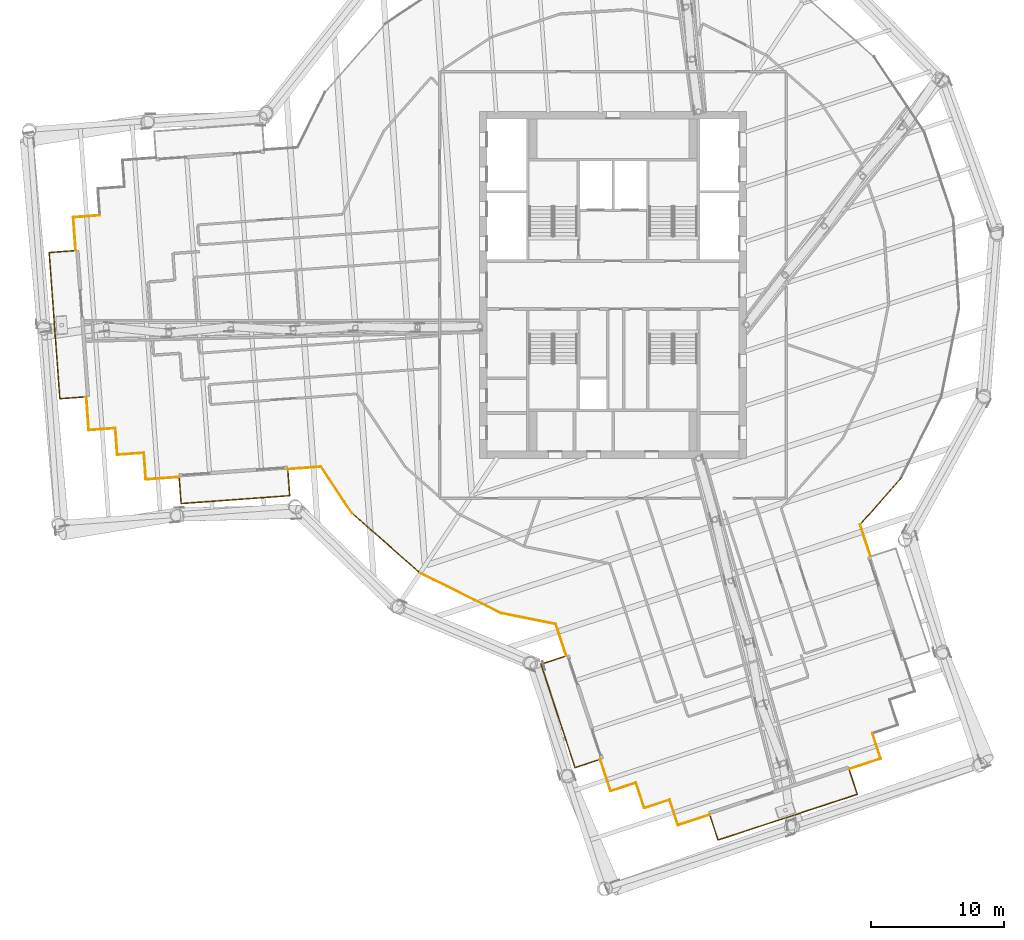
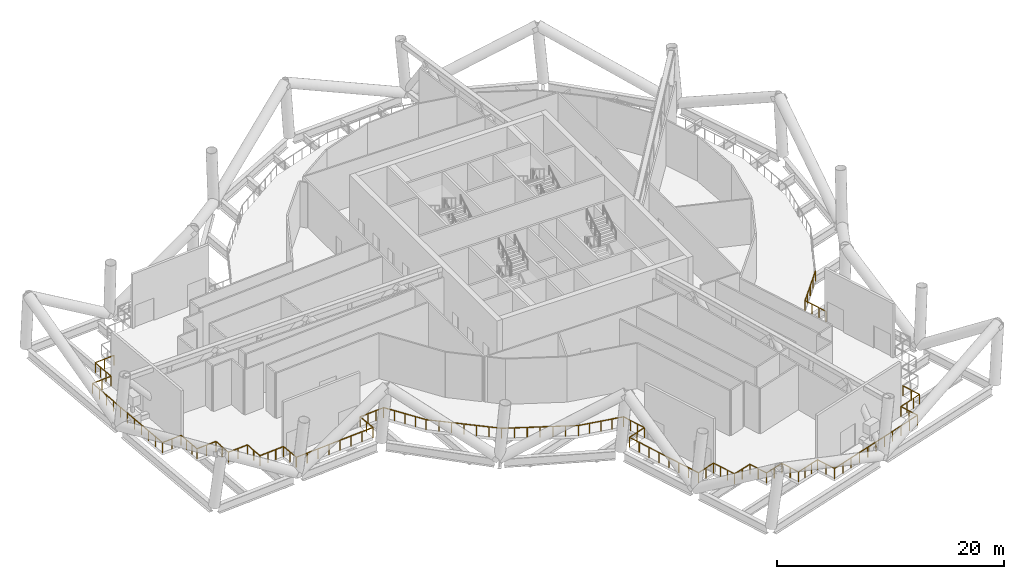
# One storey, part 28 of 33: 28 railings.
"""IFC4 building model written with IfcOpenShell, lengths in metres."""

import ifcopenshell
import ifcopenshell.guid

model = None  # the IFC model being written
_history = None  # IfcOwnerHistory: only IFC2X3 demands one
_inside = {}  # id of a spatial element -> (the spatial element, [elements in it])
_under = {}  # id of a project, library or spatial element -> (it, [spatial elements below it])
_declared = {}  # id of a project -> (the project, [libraries it declares])
_typed = {}  # id of a type object -> (the type object, [elements of that type])
_made_of = {}  # id of a material, layer set ... -> (it, [elements and type objects made of it])


def new_model(schema):
    """Start an empty IFC model of exactly this schema.

    Asked for "IFC4X3", IfcOpenShell would pick the latest addendum, in which some entities
    have other attributes; the version numbers below select the first issue.
    IFC2X3 requires an IfcOwnerHistory on every rooted entity: one is made here for all.
    """
    global model, _history
    if schema == "IFC4X3":
        model = ifcopenshell.file(schema_version=(4, 3, 0, 0))
    else:
        model = ifcopenshell.file(schema=schema)
    _inside.clear()
    _under.clear()
    _declared.clear()
    _typed.clear()
    _made_of.clear()
    _history = None
    if model.schema == "IFC2X3":
        org = make("IfcOrganization", Name="unknown")
        user = make(
            "IfcPersonAndOrganization",
            ThePerson=make("IfcPerson", FamilyName="unknown"),
            TheOrganization=org,
        )
        app = make(
            "IfcApplication",
            ApplicationDeveloper=org,
            Version="unknown",
            ApplicationFullName="unknown",
            ApplicationIdentifier="unknown",
        )
        _history = make(
            "IfcOwnerHistory",
            OwningUser=user,
            OwningApplication=app,
            ChangeAction="ADDED",
            CreationDate=0,
        )
    return model


def make(cls, **values):
    """One entity of the class cls with the attributes given. An attribute that is None is left unset."""
    return model.create_entity(
        cls, **{name: value for name, value in values.items() if value is not None}
    )


def rooted(cls, **values):
    """An entity with a GlobalId (a new one), such as an element, a storey or a relation."""
    return make(cls, GlobalId=ifcopenshell.guid.new(), OwnerHistory=_history, **values)


def si_unit(unit_type, name, prefix=None):
    """IfcSIUnit, for example si_unit("LENGTHUNIT", "METRE", prefix="MILLI")."""
    return make("IfcSIUnit", UnitType=unit_type, Prefix=prefix, Name=name)


def assignment(units):
    """IfcUnitAssignment: the units of a project."""
    return None if units is None else make("IfcUnitAssignment", Units=units)


def point(xyz):
    """IfcCartesianPoint."""
    return None if xyz is None else make("IfcCartesianPoint", Coordinates=xyz)


def direction(xyz):
    """IfcDirection."""
    return None if xyz is None else make("IfcDirection", DirectionRatios=xyz)


def frame(location, z_axis=None, x_axis=None):
    """IfcAxis2Placement3D, a coordinate frame: its origin and axes. An axis left out is left unset."""
    return make(
        "IfcAxis2Placement3D",
        Location=point(location),
        Axis=direction(z_axis),
        RefDirection=direction(x_axis),
    )


def frame_2d(location, x_axis=None):
    """IfcAxis2Placement2D, a coordinate frame in the plane: its origin and x axis."""
    return make(
        "IfcAxis2Placement2D", Location=point(location), RefDirection=direction(x_axis)
    )


def origin():
    """The frame at (0, 0, 0) with its axes left unset."""
    return frame((0.0, 0.0, 0.0))


def origin_2d():
    """The frame at (0, 0) in the plane with its x axis left unset."""
    return frame_2d((0.0, 0.0))


def place(relative_to, where):
    """IfcLocalPlacement: puts the frame where relative to a parent placement (None: the world)."""
    return make(
        "IfcLocalPlacement", PlacementRelTo=relative_to, RelativePlacement=where
    )


def context(
    kind, dimensions, precision=None, world=None, true_north=None, identifier=None
):
    """IfcGeometricRepresentationContext, for example the 3D "Model" context."""
    return make(
        "IfcGeometricRepresentationContext",
        ContextIdentifier=identifier,
        ContextType=kind,
        CoordinateSpaceDimension=dimensions,
        Precision=precision,
        WorldCoordinateSystem=world,
        TrueNorth=true_north,
    )


def subcontext(parent, identifier, kind, view, scale=None):
    """IfcGeometricRepresentationSubContext, for example "Body" below "Model"."""
    return make(
        "IfcGeometricRepresentationSubContext",
        ContextIdentifier=identifier,
        ContextType=kind,
        ParentContext=parent,
        TargetScale=scale,
        TargetView=view,
    )


def project(units=None, contexts=None):
    """IfcProject with its units and contexts."""
    return rooted(
        "IfcProject",
        Name="project",
        RepresentationContexts=contexts,
        UnitsInContext=assignment(units),
    )


def spatial(cls, under=None, at=None, **own):
    """A site, building, storey or space (cls), placed at a placement, below another one or the project."""
    s = rooted(cls, ObjectPlacement=at, **own)
    if under is not None:
        _under.setdefault(under.id(), (under, []))[1].append(s)
    return s


def profile(cls, at=None, kind="AREA", **sizes):
    """A parametric profile (cls). Its sizes go by their IFC names, for example OverallWidth=200.0."""
    return make(cls, ProfileType=kind, Position=at, **sizes)


def circle(**sizes):
    """IfcCircleProfileDef."""
    return profile("IfcCircleProfileDef", **sizes)


def extrude(swept, where, along, depth):
    """IfcExtrudedAreaSolid: the profile swept, set in the frame where, extruded along a direction by depth."""
    return make(
        "IfcExtrudedAreaSolid",
        SweptArea=swept,
        Position=where,
        ExtrudedDirection=direction(along),
        Depth=depth,
    )


def shape(context_of_items, identifier, shape_type, items):
    """IfcShapeRepresentation: the items that make up one representation, for example the "Body"."""
    return make(
        "IfcShapeRepresentation",
        ContextOfItems=context_of_items,
        RepresentationIdentifier=identifier,
        RepresentationType=shape_type,
        Items=items,
    )


def material(Name=None, Category=None):
    """IfcMaterial."""
    return make("IfcMaterial", Name=Name, Category=Category)


def made_of(thing, what):
    """Note that an element or type object is made of a material, layer set ...; save() writes the relation."""
    if what is not None:
        _made_of.setdefault(what.id(), (what, []))[1].append(thing)
    return thing


def type_object(cls, material=None, **own):
    """A type object (cls), such as IfcWallType, which elements share."""
    return made_of(rooted(cls, **own), material)


def element(
    cls,
    number,
    at=None,
    inside=None,
    cuts=None,
    type_object=None,
    material=None,
    context=None,
    identifier="Body",
    shape_type=None,
    held_by="IfcProductDefinitionShape",
    body=None,
    shapes=None,
    **own,
):
    """One element of the class cls, such as IfcWall. Its Tag is "e" and its number.

    at: its placement. inside: the storey or other place that contains it. cuts: it is an
    opening in that element (IfcRelVoidsElement). A single representation is given by context,
    identifier, shape_type and body (its items); several are given by shapes. held_by: the class
    of the entity that holds the representations. save() writes the other relations.
    """
    e = rooted(cls, Tag="e%d" % number, ObjectPlacement=at, **own)
    if body is not None:
        shapes = [shape(context, identifier, shape_type, body)]
    if shapes is not None:
        e.Representation = make(held_by, Representations=shapes)
    if inside is not None:
        _inside.setdefault(inside.id(), (inside, []))[1].append(e)
    if cuts is not None:
        rooted(
            "IfcRelVoidsElement", RelatingBuildingElement=cuts, RelatedOpeningElement=e
        )
    if type_object is not None:
        _typed.setdefault(type_object.id(), (type_object, []))[1].append(e)
    return made_of(e, material)


def aggregate(whole, parts):
    """IfcRelAggregates: a whole, such as a stair, and the parts it consists of."""
    return rooted("IfcRelAggregates", RelatingObject=whole, RelatedObjects=parts)


def save(model, path):
    """Write the relations noted so far, then the file.

    IfcRelAggregates (storeys below a building ...), IfcRelContainedInSpatialStructure (elements
    in a storey), IfcRelDefinesByType, IfcRelAssociatesMaterial and IfcRelDeclares: one each for
    every whole, place, type object, material and project.
    """
    for whole, parts in _under.values():
        aggregate(whole, parts)
    for where, things in _inside.values():
        rooted(
            "IfcRelContainedInSpatialStructure",
            RelatedElements=things,
            RelatingStructure=where,
        )
    for kind, things in _typed.values():
        rooted("IfcRelDefinesByType", RelatedObjects=things, RelatingType=kind)
    for what, things in _made_of.values():
        rooted("IfcRelAssociatesMaterial", RelatedObjects=things, RelatingMaterial=what)
    for by, libraries in _declared.values():
        rooted("IfcRelDeclares", RelatingContext=by, RelatedDefinitions=libraries)
    model.write(path)


model = new_model("IFC4")

# Units and contexts
model_context = context("Model", 3, precision=1e-05, world=origin(), true_north=direction((0.0, 1.0)))
body_context = subcontext(model_context, "Body", "Model", "MODEL_VIEW")
ifc_project = project(units=[si_unit("LENGTHUNIT", "METRE"), si_unit("AREAUNIT", "SQUARE_METRE"), si_unit("VOLUMEUNIT", "CUBIC_METRE"), si_unit("PLANEANGLEUNIT", "RADIAN"), si_unit("MASSUNIT", "GRAM", prefix="KILO")], contexts=[model_context])

# Site, building, storey
site_placement = place(None, origin())
site = spatial("IfcSite", under=ifc_project, at=site_placement, CompositionType="ELEMENT")
building_placement = place(site_placement, origin())
building = spatial("IfcBuilding", under=site, at=building_placement, Name="Tarsis Ring Headquarters", CompositionType="ELEMENT")
storey_placement = place(building_placement, frame((0.0, 0.0, 302.0)))
storey = spatial("IfcBuildingStorey", under=building, at=storey_placement, Name="L71", CompositionType="ELEMENT", Elevation=302.0)

# Railings
ifc_material = material(Name="Stainless steel guard", Category="steel")
railing_type_1 = type_object("IfcRailingType", Name="Balcony balustrade with mesh infill 1100", PredefinedType="BALUSTRADE", material=ifc_material)
railing_1_placement = place(storey_placement, frame((-32.541259765625, -14.3984375, 0.0)))
element("IfcRailing", 1, at=railing_1_placement, inside=storey, type_object=railing_type_1, Name="Balcony balustrade L71-01", PredefinedType="BALUSTRADE", context=body_context, shape_type="SweptSolid", body=[
    extrude(circle(Radius=0.030029296875, at=origin_2d()), frame((0.0, 0.0, 1.070068359375), z_axis=(0.072504788908, -0.99736806425, 0.0), x_axis=(0.99736806425, 0.072504788908, 0.0)), (0.0, 0.0, 1.0), 2.000244140625),
    extrude(circle(Radius=0.030029296875, at=origin_2d()), frame((0.14501953125, -1.994873046875, 1.070068359375), z_axis=(0.997365816959, 0.072535695779, 0.0), x_axis=(-0.072535695779, 0.997365816959, 0.0)), (0.0, 0.0, 1.0), 8.172119140625),
    extrude(circle(Radius=0.030029296875, at=origin_2d()), frame((8.295654296875, -1.402099609375, 1.070068359375), z_axis=(-0.072626207556, 0.997359230155, 0.0), x_axis=(-0.997359230155, -0.072626207556, 0.0)), (0.0, 0.0, 1.0), 2.000244140625),
    extrude(circle(Radius=0.02490234375, at=origin_2d()), origin(), (0.0, 0.0, 1.0), 1.0400390625),
    extrude(circle(Radius=0.02490234375, at=origin_2d()), frame((0.072509765625, -0.99755859375, 0.0)), (0.0, 0.0, 1.0), 1.0400390625),
    extrude(circle(Radius=0.02490234375, at=origin_2d()), frame((0.14501953125, -1.994873046875, 0.0)), (0.0, 0.0, 1.0), 1.0400390625),
    extrude(circle(Radius=0.02490234375, at=origin_2d()), frame((1.309326171875, -1.91015625, 0.0)), (0.0, 0.0, 1.0), 1.0400390625),
    extrude(circle(Radius=0.02490234375, at=origin_2d()), frame((2.473876953125, -1.825439453125, 0.0)), (0.0, 0.0, 1.0), 1.0400390625),
    extrude(circle(Radius=0.02490234375, at=origin_2d()), frame((3.63818359375, -1.74072265625, 0.0)), (0.0, 0.0, 1.0), 1.0400390625),
    extrude(circle(Radius=0.02490234375, at=origin_2d()), frame((4.802490234375, -1.65625, 0.0)), (0.0, 0.0, 1.0), 1.0400390625),
    extrude(circle(Radius=0.02490234375, at=origin_2d()), frame((5.966796875, -1.571533203125, 0.0)), (0.0, 0.0, 1.0), 1.0400390625),
    extrude(circle(Radius=0.02490234375, at=origin_2d()), frame((7.13134765625, -1.48681640625, 0.0)), (0.0, 0.0, 1.0), 1.0400390625),
    extrude(circle(Radius=0.02490234375, at=origin_2d()), frame((8.295654296875, -1.402099609375, 0.0)), (0.0, 0.0, 1.0), 1.0400390625),
    extrude(circle(Radius=0.02490234375, at=origin_2d()), frame((8.22314453125, -0.40478515625, 0.0)), (0.0, 0.0, 1.0), 1.0400390625),
    extrude(circle(Radius=0.02490234375, at=origin_2d()), frame((8.150390625, 0.5927734375, 0.0)), (0.0, 0.0, 1.0), 1.0400390625),
])
railing_2_placement = place(storey_placement, frame((-3.50830078125, -27.806396484375, 0.0)))
element("IfcRailing", 2, at=railing_2_placement, inside=storey, type_object=railing_type_1, Name="Balcony balustrade L71-06", PredefinedType="BALUSTRADE", context=body_context, shape_type="SweptSolid", body=[
    extrude(circle(Radius=0.030029296875, at=origin_2d()), frame((0.0, 0.0, 1.070068359375), z_axis=(-0.950161983936, -0.311756642725, 0.0), x_axis=(0.311756642725, -0.950161983936, 0.0)), (0.0, 0.0, 1.0), 2.0),
    extrude(circle(Radius=0.030029296875, at=origin_2d()), frame((-1.900390625, -0.62353515625, 1.070068359375), z_axis=(0.311689081116, -0.950184148843, 0.0), x_axis=(0.950184148843, 0.311689081116, 0.0)), (0.0, 0.0, 1.0), 8.171875),
    extrude(circle(Radius=0.030029296875, at=origin_2d()), frame((0.646728515625, -8.388427734375, 1.070068359375), z_axis=(0.950198137236, 0.311646434271, 0.0), x_axis=(-0.311646434271, 0.950198137236, 0.0)), (0.0, 0.0, 1.0), 2.0),
    extrude(circle(Radius=0.02490234375, at=origin_2d()), origin(), (0.0, 0.0, 1.0), 1.0400390625),
    extrude(circle(Radius=0.02490234375, at=origin_2d()), frame((-0.9501953125, -0.311767578125, 0.0)), (0.0, 0.0, 1.0), 1.0400390625),
    extrude(circle(Radius=0.02490234375, at=origin_2d()), frame((-1.900390625, -0.62353515625, 0.0)), (0.0, 0.0, 1.0), 1.0400390625),
    extrude(circle(Radius=0.02490234375, at=origin_2d()), frame((-1.53662109375, -1.73291015625, 0.0)), (0.0, 0.0, 1.0), 1.0400390625),
    extrude(circle(Radius=0.02490234375, at=origin_2d()), frame((-1.172607421875, -2.842041015625, 0.0)), (0.0, 0.0, 1.0), 1.0400390625),
    extrude(circle(Radius=0.02490234375, at=origin_2d()), frame((-0.808837890625, -3.951416015625, 0.0)), (0.0, 0.0, 1.0), 1.0400390625),
    extrude(circle(Radius=0.02490234375, at=origin_2d()), frame((-0.44482421875, -5.060546875, 0.0)), (0.0, 0.0, 1.0), 1.0400390625),
    extrude(circle(Radius=0.02490234375, at=origin_2d()), frame((-0.0810546875, -6.169921875, 0.0)), (0.0, 0.0, 1.0), 1.0400390625),
    extrude(circle(Radius=0.02490234375, at=origin_2d()), frame((0.282958984375, -7.279052734375, 0.0)), (0.0, 0.0, 1.0), 1.0400390625),
    extrude(circle(Radius=0.02490234375, at=origin_2d()), frame((0.646728515625, -8.388427734375, 0.0)), (0.0, 0.0, 1.0), 1.0400390625),
    extrude(circle(Radius=0.02490234375, at=origin_2d()), frame((1.596923828125, -8.07666015625, 0.0)), (0.0, 0.0, 1.0), 1.0400390625),
    extrude(circle(Radius=0.02490234375, at=origin_2d()), frame((2.547119140625, -7.76513671875, 0.0)), (0.0, 0.0, 1.0), 1.0400390625),
])
railing_3_placement = place(storey_placement, frame((7.24072265625, -39.7216796875, 0.0)))
element("IfcRailing", 3, at=railing_3_placement, inside=storey, type_object=railing_type_1, Name="Balcony balustrade L71-11", PredefinedType="BALUSTRADE", context=body_context, shape_type="SweptSolid", body=[
    extrude(circle(Radius=0.030029296875, at=origin_2d()), frame((0.0, 0.0, 1.070068359375), z_axis=(0.311756642725, -0.950161983936, 0.0), x_axis=(0.950161983936, 0.311756642725, 0.0)), (0.0, 0.0, 1.0), 2.0),
    extrude(circle(Radius=0.030029296875, at=origin_2d()), frame((0.62353515625, -1.900390625, 1.070068359375), z_axis=(0.950192695163, 0.311663026453, 0.0), x_axis=(-0.311663026453, 0.950192695163, 0.0)), (0.0, 0.0, 1.0), 10.999755859375),
    extrude(circle(Radius=0.030029296875, at=origin_2d()), frame((11.075439453125, 1.52783203125, 1.070068359375), z_axis=(-0.311646434271, 0.950198137236, 0.0), x_axis=(-0.950198137236, -0.311646434271, 0.0)), (0.0, 0.0, 1.0), 2.0),
    extrude(circle(Radius=0.02490234375, at=origin_2d()), origin(), (0.0, 0.0, 1.0), 1.0400390625),
    extrude(circle(Radius=0.02490234375, at=origin_2d()), frame((0.311767578125, -0.9501953125, 0.0)), (0.0, 0.0, 1.0), 1.0400390625),
    extrude(circle(Radius=0.02490234375, at=origin_2d()), frame((0.62353515625, -1.900390625, 0.0)), (0.0, 0.0, 1.0), 1.0400390625),
    extrude(circle(Radius=0.02490234375, at=origin_2d()), frame((1.668701171875, -1.5576171875, 0.0)), (0.0, 0.0, 1.0), 1.0400390625),
    extrude(circle(Radius=0.02490234375, at=origin_2d()), frame((2.7138671875, -1.21484375, 0.0)), (0.0, 0.0, 1.0), 1.0400390625),
    extrude(circle(Radius=0.02490234375, at=origin_2d()), frame((3.759033203125, -0.871826171875, 0.0)), (0.0, 0.0, 1.0), 1.0400390625),
    extrude(circle(Radius=0.02490234375, at=origin_2d()), frame((4.80419921875, -0.529052734375, 0.0)), (0.0, 0.0, 1.0), 1.0400390625),
    extrude(circle(Radius=0.02490234375, at=origin_2d()), frame((5.849609375, -0.186279296875, 0.0)), (0.0, 0.0, 1.0), 1.0400390625),
    extrude(circle(Radius=0.02490234375, at=origin_2d()), frame((6.894775390625, 0.156494140625, 0.0)), (0.0, 0.0, 1.0), 1.0400390625),
    extrude(circle(Radius=0.02490234375, at=origin_2d()), frame((7.93994140625, 0.499267578125, 0.0)), (0.0, 0.0, 1.0), 1.0400390625),
    extrude(circle(Radius=0.02490234375, at=origin_2d()), frame((8.985107421875, 0.84228515625, 0.0)), (0.0, 0.0, 1.0), 1.0400390625),
    extrude(circle(Radius=0.02490234375, at=origin_2d()), frame((10.0302734375, 1.18505859375, 0.0)), (0.0, 0.0, 1.0), 1.0400390625),
    extrude(circle(Radius=0.02490234375, at=origin_2d()), frame((11.075439453125, 1.52783203125, 0.0)), (0.0, 0.0, 1.0), 1.0400390625),
    extrude(circle(Radius=0.02490234375, at=origin_2d()), frame((10.763671875, 2.47802734375, 0.0)), (0.0, 0.0, 1.0), 1.0400390625),
    extrude(circle(Radius=0.02490234375, at=origin_2d()), frame((10.4521484375, 3.42822265625, 0.0)), (0.0, 0.0, 1.0), 1.0400390625),
])
railing_4_placement = place(storey_placement, frame((-40.293701171875, 2.583740234375, 0.0)))
element("IfcRailing", 4, at=railing_4_placement, inside=storey, type_object=railing_type_1, Name="Balcony balustrade L71-36", PredefinedType="BALUSTRADE", context=body_context, shape_type="SweptSolid", body=[
    extrude(circle(Radius=0.030029296875, at=origin_2d()), frame((0.0, 0.0, 1.070068359375), z_axis=(-0.99736742246, -0.072513616761, 0.0), x_axis=(0.072513616761, -0.99736742246, 0.0)), (0.0, 0.0, 1.0), 2.0),
    extrude(circle(Radius=0.030029296875, at=origin_2d()), frame((-1.99462890625, -0.14501953125, 1.070068359375), z_axis=(0.072532484435, -0.997366050506, 0.0), x_axis=(0.997366050506, 0.072532484435, 0.0)), (0.0, 0.0, 1.0), 11.0),
    extrude(circle(Radius=0.030029296875, at=origin_2d()), frame((-1.19677734375, -11.115966796875, 1.070068359375), z_axis=(0.99736806425, 0.072504788908, 0.0), x_axis=(-0.072504788908, 0.99736806425, 0.0)), (0.0, 0.0, 1.0), 2.000244140625),
    extrude(circle(Radius=0.02490234375, at=origin_2d()), origin(), (0.0, 0.0, 1.0), 1.0400390625),
    extrude(circle(Radius=0.02490234375, at=origin_2d()), frame((-0.997314453125, -0.072509765625, 0.0)), (0.0, 0.0, 1.0), 1.0400390625),
    extrude(circle(Radius=0.02490234375, at=origin_2d()), frame((-1.99462890625, -0.14501953125, 0.0)), (0.0, 0.0, 1.0), 1.0400390625),
    extrude(circle(Radius=0.02490234375, at=origin_2d()), frame((-1.914794921875, -1.2421875, 0.0)), (0.0, 0.0, 1.0), 1.0400390625),
    extrude(circle(Radius=0.02490234375, at=origin_2d()), frame((-1.8349609375, -2.339111328125, 0.0)), (0.0, 0.0, 1.0), 1.0400390625),
    extrude(circle(Radius=0.02490234375, at=origin_2d()), frame((-1.75537109375, -3.436279296875, 0.0)), (0.0, 0.0, 1.0), 1.0400390625),
    extrude(circle(Radius=0.02490234375, at=origin_2d()), frame((-1.675537109375, -4.533447265625, 0.0)), (0.0, 0.0, 1.0), 1.0400390625),
    extrude(circle(Radius=0.02490234375, at=origin_2d()), frame((-1.595703125, -5.63037109375, 0.0)), (0.0, 0.0, 1.0), 1.0400390625),
    extrude(circle(Radius=0.02490234375, at=origin_2d()), frame((-1.515869140625, -6.7275390625, 0.0)), (0.0, 0.0, 1.0), 1.0400390625),
    extrude(circle(Radius=0.02490234375, at=origin_2d()), frame((-1.43603515625, -7.82470703125, 0.0)), (0.0, 0.0, 1.0), 1.0400390625),
    extrude(circle(Radius=0.02490234375, at=origin_2d()), frame((-1.3564453125, -8.921875, 0.0)), (0.0, 0.0, 1.0), 1.0400390625),
    extrude(circle(Radius=0.02490234375, at=origin_2d()), frame((-1.276611328125, -10.018798828125, 0.0)), (0.0, 0.0, 1.0), 1.0400390625),
    extrude(circle(Radius=0.02490234375, at=origin_2d()), frame((-1.19677734375, -11.115966796875, 0.0)), (0.0, 0.0, 1.0), 1.0400390625),
    extrude(circle(Radius=0.02490234375, at=origin_2d()), frame((-0.19921875, -11.04345703125, 0.0)), (0.0, 0.0, 1.0), 1.0400390625),
    extrude(circle(Radius=0.02490234375, at=origin_2d()), frame((0.798095703125, -10.970947265625, 0.0)), (0.0, 0.0, 1.0), 1.0400390625),
])
railing_type_2 = type_object("IfcRailingType", Name="Guard rail with mesh infill 1100", PredefinedType="GUARDRAIL", material=ifc_material)
for number, where, name in (
    (5, (-35.03466796875, -14.579833984375, 0.0), "Guard L71-01a"),
    (6, (-24.390869140625, -13.8056640625, 0.0), "Guard L71-01b"),
):
    element("IfcRailing", number, at=place(storey_placement, frame(where)), inside=storey, type_object=railing_type_2, Name=name, PredefinedType="GUARDRAIL", context=body_context, shape_type="SweptSolid", body=[
        extrude(circle(Radius=0.030029296875, at=origin_2d()), frame((0.0, 0.0, 1.070068359375), z_axis=(0.997364146806, 0.07255865672, 0.0), x_axis=(-0.07255865672, 0.997364146806, 0.0)), (0.0, 0.0, 1.0), 2.5),
        extrude(circle(Radius=0.02490234375, at=origin_2d()), origin(), (0.0, 0.0, 1.0), 1.0400390625),
        extrude(circle(Radius=0.02490234375, at=origin_2d()), frame((0.8310546875, 0.060546875, 0.0)), (0.0, 0.0, 1.0), 1.0400390625),
        extrude(circle(Radius=0.02490234375, at=origin_2d()), frame((1.662353515625, 0.120849609375, 0.0)), (0.0, 0.0, 1.0), 1.0400390625),
        extrude(circle(Radius=0.02490234375, at=origin_2d()), frame((2.493408203125, 0.181396484375, 0.0)), (0.0, 0.0, 1.0), 1.0400390625),
    ])
railing_5_placement = place(storey_placement, frame((-21.8974609375, -13.624267578125, 0.0)))
element("IfcRailing", 7, at=railing_5_placement, inside=storey, type_object=railing_type_2, Name="Guard L71-02", PredefinedType="GUARDRAIL", context=body_context, shape_type="SweptSolid", body=[
    extrude(circle(Radius=0.030029296875, at=origin_2d()), frame((0.0, 0.0, 1.070068359375), z_axis=(0.554269906597, -0.832336993436, 0.0), x_axis=(0.832336993436, 0.554269906597, 0.0)), (0.0, 0.0, 1.0), 4.190673828125),
    extrude(circle(Radius=0.02490234375, at=origin_2d()), origin(), (0.0, 0.0, 1.0), 1.0400390625),
    extrude(circle(Radius=0.02490234375, at=origin_2d()), frame((0.58056640625, -0.8720703125, 0.0)), (0.0, 0.0, 1.0), 1.0400390625),
    extrude(circle(Radius=0.02490234375, at=origin_2d()), frame((1.161376953125, -1.744140625, 0.0)), (0.0, 0.0, 1.0), 1.0400390625),
    extrude(circle(Radius=0.02490234375, at=origin_2d()), frame((1.7421875, -2.615966796875, 0.0)), (0.0, 0.0, 1.0), 1.0400390625),
    extrude(circle(Radius=0.02490234375, at=origin_2d()), frame((2.32275390625, -3.488037109375, 0.0)), (0.0, 0.0, 1.0), 1.0400390625),
])
railing_6_placement = place(storey_placement, frame((-19.57470703125, -17.1123046875, 0.0)))
element("IfcRailing", 8, at=railing_6_placement, inside=storey, type_object=railing_type_2, Name="Guard L71-03", PredefinedType="GUARDRAIL", context=body_context, shape_type="SweptSolid", body=[
    extrude(circle(Radius=0.030029296875, at=origin_2d()), frame((0.0, 0.0, 1.070068359375), z_axis=(0.750806986644, -0.660521664147, 0.0), x_axis=(0.660521664147, 0.750806986644, 0.0)), (0.0, 0.0, 1.0), 6.787353515625),
    extrude(circle(Radius=0.02490234375, at=origin_2d()), origin(), (0.0, 0.0, 1.0), 1.0400390625),
    extrude(circle(Radius=0.02490234375, at=origin_2d()), frame((0.849365234375, -0.7470703125, 0.0)), (0.0, 0.0, 1.0), 1.0400390625),
    extrude(circle(Radius=0.02490234375, at=origin_2d()), frame((1.69873046875, -1.494384765625, 0.0)), (0.0, 0.0, 1.0), 1.0400390625),
    extrude(circle(Radius=0.02490234375, at=origin_2d()), frame((2.5478515625, -2.24169921875, 0.0)), (0.0, 0.0, 1.0), 1.0400390625),
    extrude(circle(Radius=0.02490234375, at=origin_2d()), frame((3.397216796875, -2.98876953125, 0.0)), (0.0, 0.0, 1.0), 1.0400390625),
    extrude(circle(Radius=0.02490234375, at=origin_2d()), frame((4.24658203125, -3.73583984375, 0.0)), (0.0, 0.0, 1.0), 1.0400390625),
    extrude(circle(Radius=0.02490234375, at=origin_2d()), frame((5.095947265625, -4.483154296875, 0.0)), (0.0, 0.0, 1.0), 1.0400390625),
])
railing_7_placement = place(storey_placement, frame((-14.478759765625, -21.595458984375, 0.0)))
element("IfcRailing", 9, at=railing_7_placement, inside=storey, type_object=railing_type_2, Name="Guard L71-04", PredefinedType="GUARDRAIL", context=body_context, shape_type="SweptSolid", body=[
    extrude(circle(Radius=0.030029296875, at=origin_2d()), frame((0.0, 0.0, 1.070068359375), z_axis=(0.89618275549, -0.443685100902, 0.0), x_axis=(0.443685100902, 0.89618275549, 0.0)), (0.0, 0.0, 1.0), 6.787353515625),
    extrude(circle(Radius=0.02490234375, at=origin_2d()), origin(), (0.0, 0.0, 1.0), 1.0400390625),
    extrude(circle(Radius=0.02490234375, at=origin_2d()), frame((1.013671875, -0.501953125, 0.0)), (0.0, 0.0, 1.0), 1.0400390625),
    extrude(circle(Radius=0.02490234375, at=origin_2d()), frame((2.027587890625, -1.00390625, 0.0)), (0.0, 0.0, 1.0), 1.0400390625),
    extrude(circle(Radius=0.02490234375, at=origin_2d()), frame((3.04150390625, -1.505859375, 0.0)), (0.0, 0.0, 1.0), 1.0400390625),
    extrude(circle(Radius=0.02490234375, at=origin_2d()), frame((4.05517578125, -2.007568359375, 0.0)), (0.0, 0.0, 1.0), 1.0400390625),
    extrude(circle(Radius=0.02490234375, at=origin_2d()), frame((5.06884765625, -2.509521484375, 0.0)), (0.0, 0.0, 1.0), 1.0400390625),
    extrude(circle(Radius=0.02490234375, at=origin_2d()), frame((6.082763671875, -3.011474609375, 0.0)), (0.0, 0.0, 1.0), 1.0400390625),
])
railing_8_placement = place(storey_placement, frame((-8.39599609375, -24.60693359375, 0.0)))
element("IfcRailing", 10, at=railing_8_placement, inside=storey, type_object=railing_type_2, Name="Guard L71-05", PredefinedType="GUARDRAIL", context=body_context, shape_type="SweptSolid", body=[
    extrude(circle(Radius=0.030029296875, at=origin_2d()), frame((0.0, 0.0, 1.070068359375), z_axis=(0.98047746277, -0.196631495445, 0.0), x_axis=(0.196631495445, 0.98047746277, 0.0)), (0.0, 0.0, 1.0), 4.1904296875),
    extrude(circle(Radius=0.02490234375, at=origin_2d()), origin(), (0.0, 0.0, 1.0), 1.0400390625),
    extrude(circle(Radius=0.02490234375, at=origin_2d()), frame((1.027099609375, -0.2060546875, 0.0)), (0.0, 0.0, 1.0), 1.0400390625),
    extrude(circle(Radius=0.02490234375, at=origin_2d()), frame((2.05419921875, -0.412109375, 0.0)), (0.0, 0.0, 1.0), 1.0400390625),
    extrude(circle(Radius=0.02490234375, at=origin_2d()), frame((3.08154296875, -0.617919921875, 0.0)), (0.0, 0.0, 1.0), 1.0400390625),
    extrude(circle(Radius=0.02490234375, at=origin_2d()), frame((4.108642578125, -0.823974609375, 0.0)), (0.0, 0.0, 1.0), 1.0400390625),
])
railing_9_placement = place(storey_placement, frame((-4.287353515625, -25.430908203125, 0.0)))
element("IfcRailing", 11, at=railing_9_placement, inside=storey, type_object=railing_type_2, Name="Guard L71-06a", PredefinedType="GUARDRAIL", context=body_context, shape_type="SweptSolid", body=[
    extrude(circle(Radius=0.030029296875, at=origin_2d()), frame((0.0, 0.0, 1.070068359375), z_axis=(0.31162439107, -0.950205366692, 0.0), x_axis=(0.950205366692, 0.31162439107, 0.0)), (0.0, 0.0, 1.0), 2.5),
    extrude(circle(Radius=0.02490234375, at=origin_2d()), origin(), (0.0, 0.0, 1.0), 1.0400390625),
    extrude(circle(Radius=0.02490234375, at=origin_2d()), frame((0.259765625, -0.791748046875, 0.0)), (0.0, 0.0, 1.0), 1.0400390625),
    extrude(circle(Radius=0.02490234375, at=origin_2d()), frame((0.519287109375, -1.583740234375, 0.0)), (0.0, 0.0, 1.0), 1.0400390625),
    extrude(circle(Radius=0.02490234375, at=origin_2d()), frame((0.779052734375, -2.37548828125, 0.0)), (0.0, 0.0, 1.0), 1.0400390625),
])
railing_10_placement = place(storey_placement, frame((-0.961181640625, -35.571533203125, 0.0)))
element("IfcRailing", 12, at=railing_10_placement, inside=storey, type_object=railing_type_2, Name="Guard L71-06b", PredefinedType="GUARDRAIL", context=body_context, shape_type="SweptSolid", body=[
    extrude(circle(Radius=0.030029296875, at=origin_2d()), frame((0.0, 0.0, 1.070068359375), z_axis=(0.311653310631, -0.950195881896, 0.0), x_axis=(0.950195881896, 0.311653310631, 0.0)), (0.0, 0.0, 1.0), 2.499755859375),
    extrude(circle(Radius=0.02490234375, at=origin_2d()), origin(), (0.0, 0.0, 1.0), 1.0400390625),
    extrude(circle(Radius=0.02490234375, at=origin_2d()), frame((0.259765625, -0.791748046875, 0.0)), (0.0, 0.0, 1.0), 1.0400390625),
    extrude(circle(Radius=0.02490234375, at=origin_2d()), frame((0.519287109375, -1.58349609375, 0.0)), (0.0, 0.0, 1.0), 1.0400390625),
    extrude(circle(Radius=0.02490234375, at=origin_2d()), frame((0.779052734375, -2.375244140625, 0.0)), (0.0, 0.0, 1.0), 1.0400390625),
])
railing_11_placement = place(storey_placement, frame((-0.18212890625, -37.94677734375, 0.0)))
element("IfcRailing", 13, at=railing_11_placement, inside=storey, type_object=railing_type_2, Name="Guard L71-07", PredefinedType="GUARDRAIL", context=body_context, shape_type="SweptSolid", body=[
    extrude(circle(Radius=0.030029296875, at=origin_2d()), frame((0.0, 0.0, 1.070068359375), z_axis=(0.950198137236, 0.311646434271, 0.0), x_axis=(-0.311646434271, 0.950198137236, 0.0)), (0.0, 0.0, 1.0), 2.0),
    extrude(circle(Radius=0.02490234375, at=origin_2d()), origin(), (0.0, 0.0, 1.0), 1.0400390625),
    extrude(circle(Radius=0.02490234375, at=origin_2d()), frame((0.9501953125, 0.3115234375, 0.0)), (0.0, 0.0, 1.0), 1.0400390625),
    extrude(circle(Radius=0.02490234375, at=origin_2d()), frame((1.900390625, 0.623291015625, 0.0)), (0.0, 0.0, 1.0), 1.0400390625),
])
railing_12_placement = place(storey_placement, frame((1.71826171875, -37.323486328125, 0.0)))
element("IfcRailing", 14, at=railing_12_placement, inside=storey, type_object=railing_type_2, Name="Guard L71-08", PredefinedType="GUARDRAIL", context=body_context, shape_type="SweptSolid", body=[
    extrude(circle(Radius=0.030029296875, at=origin_2d()), frame((0.0, 0.0, 1.070068359375), z_axis=(0.311646434271, -0.950198137236, 0.0), x_axis=(0.950198137236, 0.311646434271, 0.0)), (0.0, 0.0, 1.0), 2.0),
    extrude(circle(Radius=0.02490234375, at=origin_2d()), origin(), (0.0, 0.0, 1.0), 1.0400390625),
    extrude(circle(Radius=0.02490234375, at=origin_2d()), frame((0.3115234375, -0.9501953125, 0.0)), (0.0, 0.0, 1.0), 1.0400390625),
    extrude(circle(Radius=0.02490234375, at=origin_2d()), frame((0.623291015625, -1.900390625, 0.0)), (0.0, 0.0, 1.0), 1.0400390625),
])
railing_13_placement = place(storey_placement, frame((2.341552734375, -39.223876953125, 0.0)))
element("IfcRailing", 15, at=railing_13_placement, inside=storey, type_object=railing_type_2, Name="Guard L71-09", PredefinedType="GUARDRAIL", context=body_context, shape_type="SweptSolid", body=[
    extrude(circle(Radius=0.030029296875, at=origin_2d()), frame((0.0, 0.0, 1.070068359375), z_axis=(0.950198137236, 0.311646434271, 0.0), x_axis=(-0.311646434271, 0.950198137236, 0.0)), (0.0, 0.0, 1.0), 2.0),
    extrude(circle(Radius=0.02490234375, at=origin_2d()), origin(), (0.0, 0.0, 1.0), 1.0400390625),
    extrude(circle(Radius=0.02490234375, at=origin_2d()), frame((0.9501953125, 0.3115234375, 0.0)), (0.0, 0.0, 1.0), 1.0400390625),
    extrude(circle(Radius=0.02490234375, at=origin_2d()), frame((1.900390625, 0.623291015625, 0.0)), (0.0, 0.0, 1.0), 1.0400390625),
])
railing_14_placement = place(storey_placement, frame((4.241943359375, -38.6005859375, 0.0)))
element("IfcRailing", 16, at=railing_14_placement, inside=storey, type_object=railing_type_2, Name="Guard L71-10", PredefinedType="GUARDRAIL", context=body_context, shape_type="SweptSolid", body=[
    extrude(circle(Radius=0.030029296875, at=origin_2d()), frame((0.0, 0.0, 1.070068359375), z_axis=(0.311646434271, -0.950198137236, 0.0), x_axis=(0.950198137236, 0.311646434271, 0.0)), (0.0, 0.0, 1.0), 2.0),
    extrude(circle(Radius=0.02490234375, at=origin_2d()), origin(), (0.0, 0.0, 1.0), 1.0400390625),
    extrude(circle(Radius=0.02490234375, at=origin_2d()), frame((0.3115234375, -0.9501953125, 0.0)), (0.0, 0.0, 1.0), 1.0400390625),
    extrude(circle(Radius=0.02490234375, at=origin_2d()), frame((0.623291015625, -1.900390625, 0.0)), (0.0, 0.0, 1.0), 1.0400390625),
])
for number, where, name in (
    (17, (4.865234375, -40.5009765625, 0.0), "Guard L71-11a"),
    (18, (17.69287109375, -36.29345703125, 0.0), "Guard L71-11b"),
):
    element("IfcRailing", number, at=place(storey_placement, frame(where)), inside=storey, type_object=railing_type_2, Name=name, PredefinedType="GUARDRAIL", context=body_context, shape_type="SweptSolid", body=[
        extrude(circle(Radius=0.030029296875, at=origin_2d()), frame((0.0, 0.0, 1.070068359375), z_axis=(0.95017644646, 0.311712560853, 0.0), x_axis=(-0.311712560853, 0.95017644646, 0.0)), (0.0, 0.0, 1.0), 2.5),
        extrude(circle(Radius=0.02490234375, at=origin_2d()), origin(), (0.0, 0.0, 1.0), 1.0400390625),
        extrude(circle(Radius=0.02490234375, at=origin_2d()), frame((0.791748046875, 0.259765625, 0.0)), (0.0, 0.0, 1.0), 1.0400390625),
        extrude(circle(Radius=0.02490234375, at=origin_2d()), frame((1.583740234375, 0.51953125, 0.0)), (0.0, 0.0, 1.0), 1.0400390625),
        extrude(circle(Radius=0.02490234375, at=origin_2d()), frame((2.37548828125, 0.779296875, 0.0)), (0.0, 0.0, 1.0), 1.0400390625),
    ])
railing_15_placement = place(storey_placement, frame((20.068359375, -35.51416015625, 0.0)))
element("IfcRailing", 19, at=railing_15_placement, inside=storey, type_object=railing_type_2, Name="Guard L71-12", PredefinedType="GUARDRAIL", context=body_context, shape_type="SweptSolid", body=[
    extrude(circle(Radius=0.030029296875, at=origin_2d()), frame((0.0, 0.0, 1.070068359375), z_axis=(-0.311646434271, 0.950198137236, 0.0), x_axis=(-0.950198137236, -0.311646434271, 0.0)), (0.0, 0.0, 1.0), 2.0),
    extrude(circle(Radius=0.02490234375, at=origin_2d()), origin(), (0.0, 0.0, 1.0), 1.0400390625),
    extrude(circle(Radius=0.02490234375, at=origin_2d()), frame((-0.3115234375, 0.9501953125, 0.0)), (0.0, 0.0, 1.0), 1.0400390625),
    extrude(circle(Radius=0.02490234375, at=origin_2d()), frame((-0.623291015625, 1.900390625, 0.0)), (0.0, 0.0, 1.0), 1.0400390625),
])
railing_16_placement = place(storey_placement, frame((19.302734375, -20.345947265625, 0.0)))
element("IfcRailing", 20, at=railing_16_placement, inside=storey, type_object=railing_type_2, Name="Guard L71-16b", PredefinedType="GUARDRAIL", context=body_context, shape_type="SweptSolid", body=[
    extrude(circle(Radius=0.030029296875, at=origin_2d()), frame((0.0, 0.0, 1.070068359375), z_axis=(-0.31162439107, 0.950205366692, 0.0), x_axis=(-0.950205366692, -0.31162439107, 0.0)), (0.0, 0.0, 1.0), 2.5),
    extrude(circle(Radius=0.02490234375, at=origin_2d()), origin(), (0.0, 0.0, 1.0), 1.0400390625),
    extrude(circle(Radius=0.02490234375, at=origin_2d()), frame((-0.259765625, 0.791748046875, 0.0)), (0.0, 0.0, 1.0), 1.0400390625),
    extrude(circle(Radius=0.02490234375, at=origin_2d()), frame((-0.519287109375, 1.583740234375, 0.0)), (0.0, 0.0, 1.0), 1.0400390625),
    extrude(circle(Radius=0.02490234375, at=origin_2d()), frame((-0.779052734375, 2.37548828125, 0.0)), (0.0, 0.0, 1.0), 1.0400390625),
])
railing_17_placement = place(storey_placement, frame((18.523681640625, -17.970458984375, 0.0)))
element("IfcRailing", 21, at=railing_17_placement, inside=storey, type_object=railing_type_2, Name="Guard L71-17", PredefinedType="GUARDRAIL", context=body_context, shape_type="SweptSolid", body=[
    extrude(circle(Radius=0.030029296875, at=origin_2d()), frame((0.0, 0.0, 1.070068359375), z_axis=(0.660516645226, 0.750811402004, 0.0), x_axis=(-0.750811402004, 0.660516645226, 0.0)), (0.0, 0.0, 1.0), 4.650634765625),
    extrude(circle(Radius=0.02490234375, at=origin_2d()), origin(), (0.0, 0.0, 1.0), 1.0400390625),
    extrude(circle(Radius=0.02490234375, at=origin_2d()), frame((0.76806640625, 0.873046875, 0.0)), (0.0, 0.0, 1.0), 1.0400390625),
    extrude(circle(Radius=0.02490234375, at=origin_2d()), frame((1.535888671875, 1.745849609375, 0.0)), (0.0, 0.0, 1.0), 1.0400390625),
    extrude(circle(Radius=0.02490234375, at=origin_2d()), frame((2.3037109375, 2.61865234375, 0.0)), (0.0, 0.0, 1.0), 1.0400390625),
    extrude(circle(Radius=0.02490234375, at=origin_2d()), frame((3.07177734375, 3.49169921875, 0.0)), (0.0, 0.0, 1.0), 1.0400390625),
])
railing_18_placement = place(storey_placement, frame((-38.480224609375, 5.222412109375, 0.0)))
element("IfcRailing", 22, at=railing_18_placement, inside=storey, type_object=railing_type_2, Name="Guard L71-35", PredefinedType="GUARDRAIL", context=body_context, shape_type="SweptSolid", body=[
    extrude(circle(Radius=0.030029296875, at=origin_2d()), frame((0.0, 0.0, 1.070068359375), z_axis=(-0.99735858622, -0.072635050037, 0.0), x_axis=(0.072635050037, -0.99735858622, 0.0)), (0.0, 0.0, 1.0), 2.0),
    extrude(circle(Radius=0.02490234375, at=origin_2d()), origin(), (0.0, 0.0, 1.0), 1.0400390625),
    extrude(circle(Radius=0.02490234375, at=origin_2d()), frame((-0.997314453125, -0.07275390625, 0.0)), (0.0, 0.0, 1.0), 1.0400390625),
    extrude(circle(Radius=0.02490234375, at=origin_2d()), frame((-1.99462890625, -0.145263671875, 0.0)), (0.0, 0.0, 1.0), 1.0400390625),
])
railing_19_placement = place(storey_placement, frame((-40.474853515625, 5.0771484375, 0.0)))
element("IfcRailing", 23, at=railing_19_placement, inside=storey, type_object=railing_type_2, Name="Guard L71-36a", PredefinedType="GUARDRAIL", context=body_context, shape_type="SweptSolid", body=[
    extrude(circle(Radius=0.030029296875, at=origin_2d()), frame((0.0, 0.0, 1.070068359375), z_axis=(0.07246151349, -0.997371209261, 0.0), x_axis=(0.997371209261, 0.07246151349, 0.0)), (0.0, 0.0, 1.0), 2.5),
    extrude(circle(Radius=0.02490234375, at=origin_2d()), origin(), (0.0, 0.0, 1.0), 1.0400390625),
    extrude(circle(Radius=0.02490234375, at=origin_2d()), frame((0.060302734375, -0.8310546875, 0.0)), (0.0, 0.0, 1.0), 1.0400390625),
    extrude(circle(Radius=0.02490234375, at=origin_2d()), frame((0.120849609375, -1.662353515625, 0.0)), (0.0, 0.0, 1.0), 1.0400390625),
    extrude(circle(Radius=0.02490234375, at=origin_2d()), frame((0.18115234375, -2.493408203125, 0.0)), (0.0, 0.0, 1.0), 1.0400390625),
])
railing_20_placement = place(storey_placement, frame((-39.49560546875, -8.38720703125, 0.0)))
element("IfcRailing", 24, at=railing_20_placement, inside=storey, type_object=railing_type_2, Name="Guard L71-36b", PredefinedType="GUARDRAIL", context=body_context, shape_type="SweptSolid", body=[
    extrude(circle(Radius=0.030029296875, at=origin_2d()), frame((0.0, 0.0, 1.070068359375), z_axis=(0.07255865672, -0.997364146806, 0.0), x_axis=(0.997364146806, 0.07255865672, 0.0)), (0.0, 0.0, 1.0), 2.5),
    extrude(circle(Radius=0.02490234375, at=origin_2d()), origin(), (0.0, 0.0, 1.0), 1.0400390625),
    extrude(circle(Radius=0.02490234375, at=origin_2d()), frame((0.060546875, -0.8310546875, 0.0)), (0.0, 0.0, 1.0), 1.0400390625),
    extrude(circle(Radius=0.02490234375, at=origin_2d()), frame((0.120849609375, -1.662353515625, 0.0)), (0.0, 0.0, 1.0), 1.0400390625),
    extrude(circle(Radius=0.02490234375, at=origin_2d()), frame((0.181396484375, -2.493408203125, 0.0)), (0.0, 0.0, 1.0), 1.0400390625),
])
railing_21_placement = place(storey_placement, frame((-39.314208984375, -10.880615234375, 0.0)))
element("IfcRailing", 25, at=railing_21_placement, inside=storey, type_object=railing_type_2, Name="Guard L71-37", PredefinedType="GUARDRAIL", context=body_context, shape_type="SweptSolid", body=[
    extrude(circle(Radius=0.030029296875, at=origin_2d()), frame((0.0, 0.0, 1.070068359375), z_axis=(0.99736742246, 0.072513616761, 0.0), x_axis=(-0.072513616761, 0.99736742246, 0.0)), (0.0, 0.0, 1.0), 2.0),
    extrude(circle(Radius=0.02490234375, at=origin_2d()), origin(), (0.0, 0.0, 1.0), 1.0400390625),
    extrude(circle(Radius=0.02490234375, at=origin_2d()), frame((0.997314453125, 0.072509765625, 0.0)), (0.0, 0.0, 1.0), 1.0400390625),
    extrude(circle(Radius=0.02490234375, at=origin_2d()), frame((1.99462890625, 0.14501953125, 0.0)), (0.0, 0.0, 1.0), 1.0400390625),
])
railing_22_placement = place(storey_placement, frame((-37.319580078125, -10.735595703125, 0.0)))
element("IfcRailing", 26, at=railing_22_placement, inside=storey, type_object=railing_type_2, Name="Guard L71-38", PredefinedType="GUARDRAIL", context=body_context, shape_type="SweptSolid", body=[
    extrude(circle(Radius=0.030029296875, at=origin_2d()), frame((0.0, 0.0, 1.070068359375), z_axis=(0.072513616761, -0.99736742246, 0.0), x_axis=(0.99736742246, 0.072513616761, 0.0)), (0.0, 0.0, 1.0), 2.0),
    extrude(circle(Radius=0.02490234375, at=origin_2d()), origin(), (0.0, 0.0, 1.0), 1.0400390625),
    extrude(circle(Radius=0.02490234375, at=origin_2d()), frame((0.072509765625, -0.997314453125, 0.0)), (0.0, 0.0, 1.0), 1.0400390625),
    extrude(circle(Radius=0.02490234375, at=origin_2d()), frame((0.14501953125, -1.99462890625, 0.0)), (0.0, 0.0, 1.0), 1.0400390625),
])
railing_23_placement = place(storey_placement, frame((-37.174560546875, -12.730224609375, 0.0)))
element("IfcRailing", 27, at=railing_23_placement, inside=storey, type_object=railing_type_2, Name="Guard L71-39", PredefinedType="GUARDRAIL", context=body_context, shape_type="SweptSolid", body=[
    extrude(circle(Radius=0.030029296875, at=origin_2d()), frame((0.0, 0.0, 1.070068359375), z_axis=(0.99736806425, 0.072504788908, 0.0), x_axis=(-0.072504788908, 0.99736806425, 0.0)), (0.0, 0.0, 1.0), 2.000244140625),
    extrude(circle(Radius=0.02490234375, at=origin_2d()), origin(), (0.0, 0.0, 1.0), 1.0400390625),
    extrude(circle(Radius=0.02490234375, at=origin_2d()), frame((0.99755859375, 0.072509765625, 0.0)), (0.0, 0.0, 1.0), 1.0400390625),
    extrude(circle(Radius=0.02490234375, at=origin_2d()), frame((1.994873046875, 0.14501953125, 0.0)), (0.0, 0.0, 1.0), 1.0400390625),
])
railing_24_placement = place(storey_placement, frame((-35.1796875, -12.585205078125, 0.0)))
element("IfcRailing", 28, at=railing_24_placement, inside=storey, type_object=railing_type_2, Name="Guard L71-40", PredefinedType="GUARDRAIL", context=body_context, shape_type="SweptSolid", body=[
    extrude(circle(Radius=0.030029296875, at=origin_2d()), frame((0.0, 0.0, 1.070068359375), z_axis=(0.072513616761, -0.99736742246, 0.0), x_axis=(0.99736742246, 0.072513616761, 0.0)), (0.0, 0.0, 1.0), 2.0),
    extrude(circle(Radius=0.02490234375, at=origin_2d()), origin(), (0.0, 0.0, 1.0), 1.0400390625),
    extrude(circle(Radius=0.02490234375, at=origin_2d()), frame((0.072509765625, -0.997314453125, 0.0)), (0.0, 0.0, 1.0), 1.0400390625),
    extrude(circle(Radius=0.02490234375, at=origin_2d()), frame((0.14501953125, -1.99462890625, 0.0)), (0.0, 0.0, 1.0), 1.0400390625),
])

save(model, "model.ifc")
